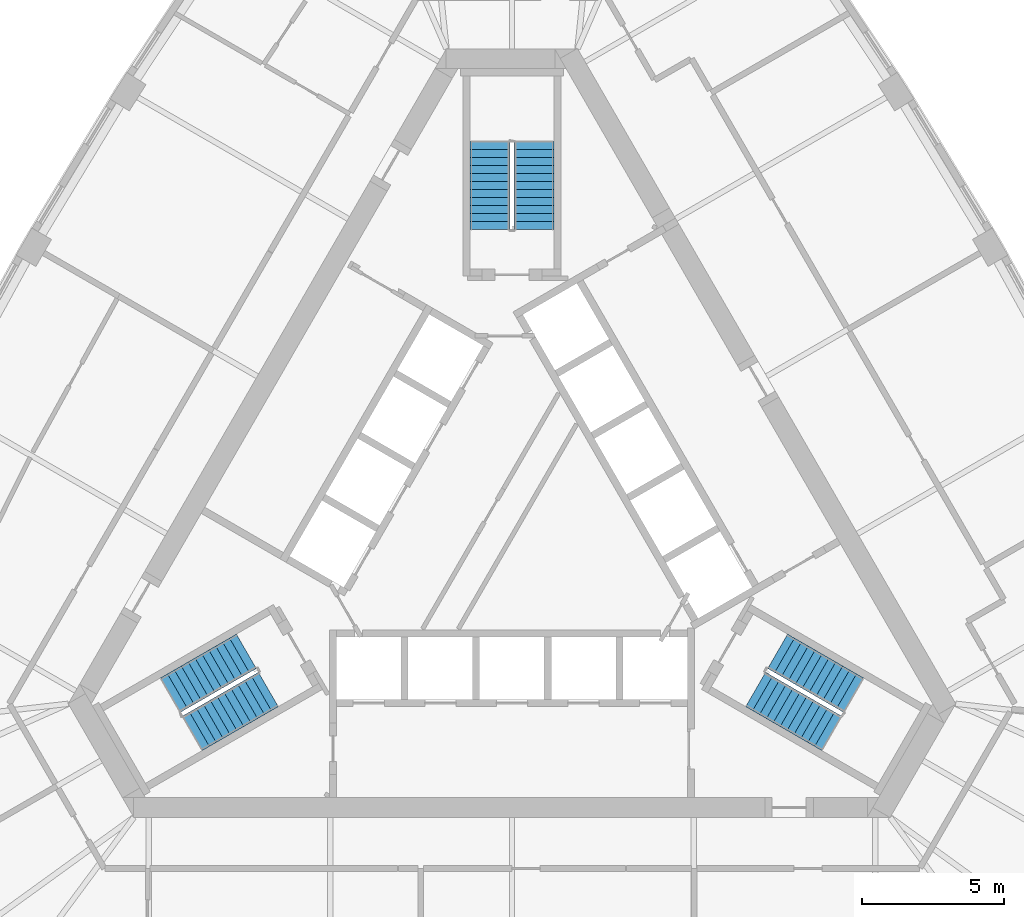
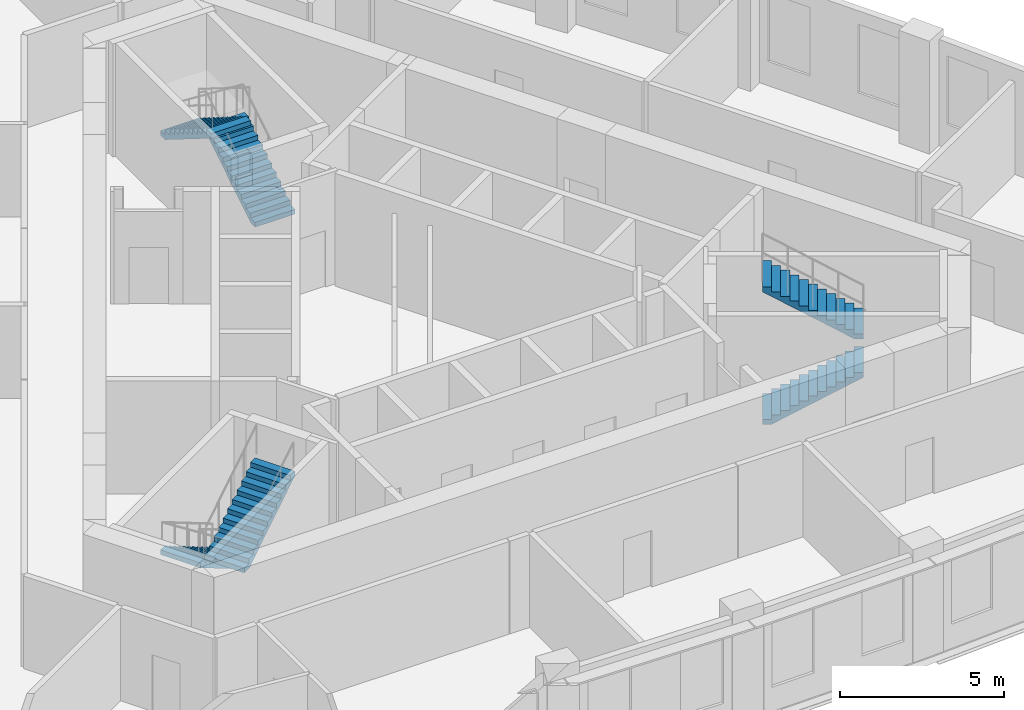
# One storey, part 9 of 10: 6 stair flights, 3 elements without a shape of their own.
"""IFC4 building model written with IfcOpenShell, lengths in metres."""

from ifc_helpers import new_model, si_unit, direction, frame, origin, place, context, subcontext, project, spatial, polyline, outline, extrude, material, type_object, element, aggregate, save


model = new_model("IFC4")

# Units and contexts
model_context = context("Model", 3, precision=1e-05, world=origin(), true_north=direction((0.0, 1.0)))
body_context = subcontext(model_context, "Body", "Model", "MODEL_VIEW")
ifc_project = project(units=[si_unit("LENGTHUNIT", "METRE"), si_unit("AREAUNIT", "SQUARE_METRE"), si_unit("VOLUMEUNIT", "CUBIC_METRE"), si_unit("PLANEANGLEUNIT", "RADIAN"), si_unit("MASSUNIT", "GRAM", prefix="KILO")], contexts=[model_context])

# Site, building, storey
site_placement = place(None, origin())
site = spatial("IfcSite", under=ifc_project, at=site_placement, CompositionType="ELEMENT")
building_placement = place(site_placement, origin())
building = spatial("IfcBuilding", under=site, at=building_placement, Name="Mestral Congress Tower", CompositionType="ELEMENT")
storey_placement = place(building_placement, frame((0.0, 0.0, 218.39990234375)))
storey = spatial("IfcBuildingStorey", under=building, at=storey_placement, Name="L51", CompositionType="ELEMENT", Elevation=218.39990234375)

# Stair, stair flights
ifc_material = material(Name="Concrete C60/75", Category="concrete")
stair_type = type_object("IfcStairType", Name="Exit stair 1400", PredefinedType="HALF_TURN_STAIR", material=ifc_material)
placement = place(storey_placement, origin())
stair_1 = element("IfcStair", 1, at=placement, inside=storey, type_object=stair_type, Name="L51 ST1", PredefinedType="HALF_TURN_STAIR")
stair_flight_type = type_object("IfcStairFlightType", Name="Exit stair flight 1400", PredefinedType="STRAIGHT", material=ifc_material)
stair_flight_1_placement = place(storey_placement, frame((8.575927734375, -5.84619140625, 0.0), z_axis=(0.0, 0.0, 1.0), x_axis=(0.866025403784, -0.5, 0.0)))
stair_flight_1 = element("IfcStairFlight", 2, at=stair_flight_1_placement, type_object=stair_flight_type, Name="ST1 flight 1", NumberOfRisers=12, NumberOfTreads=11, PredefinedType="STRAIGHT", RiserHeight=0.175, TreadLength=0.28, context=body_context, shape_type="SweptSolid", body=[
    extrude(outline(polyline([(0.0, 0.0), (0.0, 0.175048828125), (0.280029296875, 0.175048828125), (0.280029296875, 0.35009765625), (0.56005859375, 0.35009765625), (0.56005859375, 0.52490234375), (0.840087890625, 0.52490234375), (0.840087890625, 0.699951171875), (1.1201171875, 0.699951171875), (1.1201171875, 0.875), (1.39990234375, 0.875), (1.39990234375, 1.050048828125), (1.679931640625, 1.050048828125), (1.679931640625, 1.22509765625), (1.9599609375, 1.22509765625), (1.9599609375, 1.39990234375), (2.239990234375, 1.39990234375), (2.239990234375, 1.574951171875), (2.52001953125, 1.574951171875), (2.52001953125, 1.75), (2.800048828125, 1.75), (2.800048828125, 1.925048828125), (3.080078125, 1.925048828125), (3.080078125, 2.10009765625), (3.080078125, 1.748291015625), (0.28271484375, 0.0), (0.0, 0.0)])), frame((0.0, 0.699951171875, 0.0), z_axis=(0.0, -1.0, 0.0), x_axis=(1.0, 0.0, 0.0)), (0.0, 0.0, 1.0), 1.39990234375),
])
stair_flight_2_placement = place(storey_placement, frame((12.018310546875, -6.0439453125, 2.10009765625), z_axis=(0.0, 0.0, 1.0), x_axis=(-0.866025403784, 0.5, 0.0)))
stair_flight_2 = element("IfcStairFlight", 3, at=stair_flight_2_placement, type_object=stair_flight_type, Name="ST1 flight 2", NumberOfRisers=12, NumberOfTreads=11, PredefinedType="STRAIGHT", RiserHeight=0.175, TreadLength=0.28, context=body_context, shape_type="SweptSolid", body=[
    extrude(outline(polyline([(0.0, 0.0), (0.0, 0.175048828125), (0.280029296875, 0.175048828125), (0.280029296875, 0.35009765625), (0.56005859375, 0.35009765625), (0.56005859375, 0.52490234375), (0.840087890625, 0.52490234375), (0.840087890625, 0.699951171875), (1.1201171875, 0.699951171875), (1.1201171875, 0.875), (1.39990234375, 0.875), (1.39990234375, 1.050048828125), (1.679931640625, 1.050048828125), (1.679931640625, 1.22509765625), (1.9599609375, 1.22509765625), (1.9599609375, 1.39990234375), (2.239990234375, 1.39990234375), (2.239990234375, 1.574951171875), (2.52001953125, 1.574951171875), (2.52001953125, 1.75), (2.800048828125, 1.75), (2.800048828125, 1.925048828125), (3.080078125, 1.925048828125), (3.080078125, 2.10009765625), (3.080078125, 1.748291015625), (0.28271484375, 0.0), (0.0, 0.0)])), frame((0.0, 0.699951171875, 0.0), z_axis=(0.0, -1.0, 0.0), x_axis=(1.0, 0.0, 0.0)), (0.0, 0.0, 1.0), 1.39990234375),
])
aggregate(stair_1, [stair_flight_1, stair_flight_2])

stair_2 = element("IfcStair", 4, at=placement, inside=storey, type_object=stair_type, Name="L51 ST2", PredefinedType="HALF_TURN_STAIR")
stair_flight_3_placement = place(storey_placement, frame((0.77490234375, 10.35009765625, 0.0), z_axis=(0.0, 0.0, 1.0), x_axis=(0.0, 1.0, 0.0)))
stair_flight_3 = element("IfcStairFlight", 5, at=stair_flight_3_placement, type_object=stair_flight_type, Name="ST2 flight 1", NumberOfRisers=12, NumberOfTreads=11, PredefinedType="STRAIGHT", RiserHeight=0.175, TreadLength=0.28, context=body_context, shape_type="SweptSolid", body=[
    extrude(outline(polyline([(0.0, 0.0), (0.0, 0.175048828125), (0.280029296875, 0.175048828125), (0.280029296875, 0.35009765625), (0.56005859375, 0.35009765625), (0.56005859375, 0.52490234375), (0.840087890625, 0.52490234375), (0.840087890625, 0.699951171875), (1.1201171875, 0.699951171875), (1.1201171875, 0.875), (1.39990234375, 0.875), (1.39990234375, 1.050048828125), (1.679931640625, 1.050048828125), (1.679931640625, 1.22509765625), (1.9599609375, 1.22509765625), (1.9599609375, 1.39990234375), (2.239990234375, 1.39990234375), (2.239990234375, 1.574951171875), (2.52001953125, 1.574951171875), (2.52001953125, 1.75), (2.800048828125, 1.75), (2.800048828125, 1.925048828125), (3.080078125, 1.925048828125), (3.080078125, 2.10009765625), (3.080078125, 1.748291015625), (0.28271484375, 0.0), (0.0, 0.0)])), frame((0.0, 0.699951171875, 0.0), z_axis=(0.0, -1.0, 0.0), x_axis=(1.0, 0.0, 0.0)), (0.0, 0.0, 1.0), 1.39990234375),
])
stair_flight_4_placement = place(storey_placement, frame((-0.77490234375, 13.429931640625, 2.10009765625), z_axis=(0.0, 0.0, 1.0), x_axis=(0.0, -1.0, 0.0)))
stair_flight_4 = element("IfcStairFlight", 6, at=stair_flight_4_placement, type_object=stair_flight_type, Name="ST2 flight 2", NumberOfRisers=12, NumberOfTreads=11, PredefinedType="STRAIGHT", RiserHeight=0.175, TreadLength=0.28, context=body_context, shape_type="SweptSolid", body=[
    extrude(outline(polyline([(0.0, 0.0), (0.0, 0.175048828125), (0.280029296875, 0.175048828125), (0.280029296875, 0.35009765625), (0.56005859375, 0.35009765625), (0.56005859375, 0.52490234375), (0.840087890625, 0.52490234375), (0.840087890625, 0.699951171875), (1.1201171875, 0.699951171875), (1.1201171875, 0.875), (1.39990234375, 0.875), (1.39990234375, 1.050048828125), (1.679931640625, 1.050048828125), (1.679931640625, 1.22509765625), (1.9599609375, 1.22509765625), (1.9599609375, 1.39990234375), (2.239990234375, 1.39990234375), (2.239990234375, 1.574951171875), (2.52001953125, 1.574951171875), (2.52001953125, 1.75), (2.800048828125, 1.75), (2.800048828125, 1.925048828125), (3.080078125, 1.925048828125), (3.080078125, 2.10009765625), (3.080078125, 1.748291015625), (0.28271484375, 0.0), (0.0, 0.0)])), frame((0.0, 0.699951171875, 0.0), z_axis=(0.0, -1.0, 0.0), x_axis=(1.0, 0.0, 0.0)), (0.0, 0.0, 1.0), 1.39990234375),
])
aggregate(stair_2, [stair_flight_3, stair_flight_4])

stair_3 = element("IfcStair", 7, at=placement, inside=storey, type_object=stair_type, Name="L51 ST3", PredefinedType="HALF_TURN_STAIR")
stair_flight_5_placement = place(storey_placement, frame((-9.350830078125, -4.50390625, 0.0), z_axis=(0.0, 0.0, 1.0), x_axis=(-0.866025403784, -0.5, 0.0)))
stair_flight_5 = element("IfcStairFlight", 8, at=stair_flight_5_placement, type_object=stair_flight_type, Name="ST3 flight 1", NumberOfRisers=12, NumberOfTreads=11, PredefinedType="STRAIGHT", RiserHeight=0.175, TreadLength=0.28, context=body_context, shape_type="SweptSolid", body=[
    extrude(outline(polyline([(0.0, 0.0), (0.0, 0.175048828125), (0.280029296875, 0.175048828125), (0.280029296875, 0.35009765625), (0.56005859375, 0.35009765625), (0.56005859375, 0.52490234375), (0.840087890625, 0.52490234375), (0.840087890625, 0.699951171875), (1.1201171875, 0.699951171875), (1.1201171875, 0.875), (1.39990234375, 0.875), (1.39990234375, 1.050048828125), (1.679931640625, 1.050048828125), (1.679931640625, 1.22509765625), (1.9599609375, 1.22509765625), (1.9599609375, 1.39990234375), (2.239990234375, 1.39990234375), (2.239990234375, 1.574951171875), (2.52001953125, 1.574951171875), (2.52001953125, 1.75), (2.800048828125, 1.75), (2.800048828125, 1.925048828125), (3.080078125, 1.925048828125), (3.080078125, 2.10009765625), (3.080078125, 1.748291015625), (0.28271484375, 0.0), (0.0, 0.0)])), frame((0.0, 0.699951171875, 0.0), z_axis=(0.0, -1.0, 0.0), x_axis=(1.0, 0.0, 0.0)), (0.0, 0.0, 1.0), 1.39990234375),
])
stair_flight_6_placement = place(storey_placement, frame((-11.2431640625, -7.38623046875, 2.10009765625), z_axis=(0.0, 0.0, 1.0), x_axis=(0.866025403784, 0.5, 0.0)))
stair_flight_6 = element("IfcStairFlight", 9, at=stair_flight_6_placement, type_object=stair_flight_type, Name="ST3 flight 2", NumberOfRisers=12, NumberOfTreads=11, PredefinedType="STRAIGHT", RiserHeight=0.175, TreadLength=0.28, context=body_context, shape_type="SweptSolid", body=[
    extrude(outline(polyline([(0.0, 0.0), (0.0, 0.175048828125), (0.280029296875, 0.175048828125), (0.280029296875, 0.35009765625), (0.56005859375, 0.35009765625), (0.56005859375, 0.52490234375), (0.840087890625, 0.52490234375), (0.840087890625, 0.699951171875), (1.1201171875, 0.699951171875), (1.1201171875, 0.875), (1.39990234375, 0.875), (1.39990234375, 1.050048828125), (1.679931640625, 1.050048828125), (1.679931640625, 1.22509765625), (1.9599609375, 1.22509765625), (1.9599609375, 1.39990234375), (2.239990234375, 1.39990234375), (2.239990234375, 1.574951171875), (2.52001953125, 1.574951171875), (2.52001953125, 1.75), (2.800048828125, 1.75), (2.800048828125, 1.925048828125), (3.080078125, 1.925048828125), (3.080078125, 2.10009765625), (3.080078125, 1.748291015625), (0.28271484375, 0.0), (0.0, 0.0)])), frame((0.0, 0.699951171875, 0.0), z_axis=(0.0, -1.0, 0.0), x_axis=(1.0, 0.0, 0.0)), (0.0, 0.0, 1.0), 1.39990234375),
])
aggregate(stair_3, [stair_flight_5, stair_flight_6])

save(model, "model.ifc")
